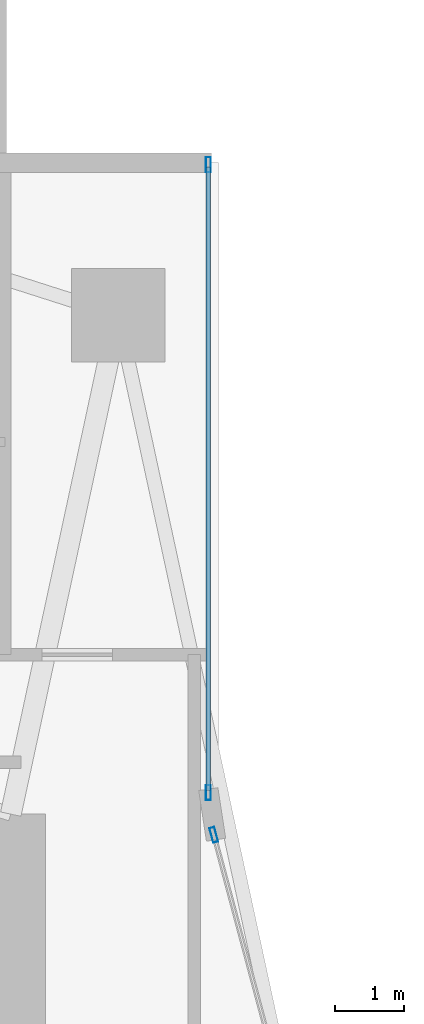
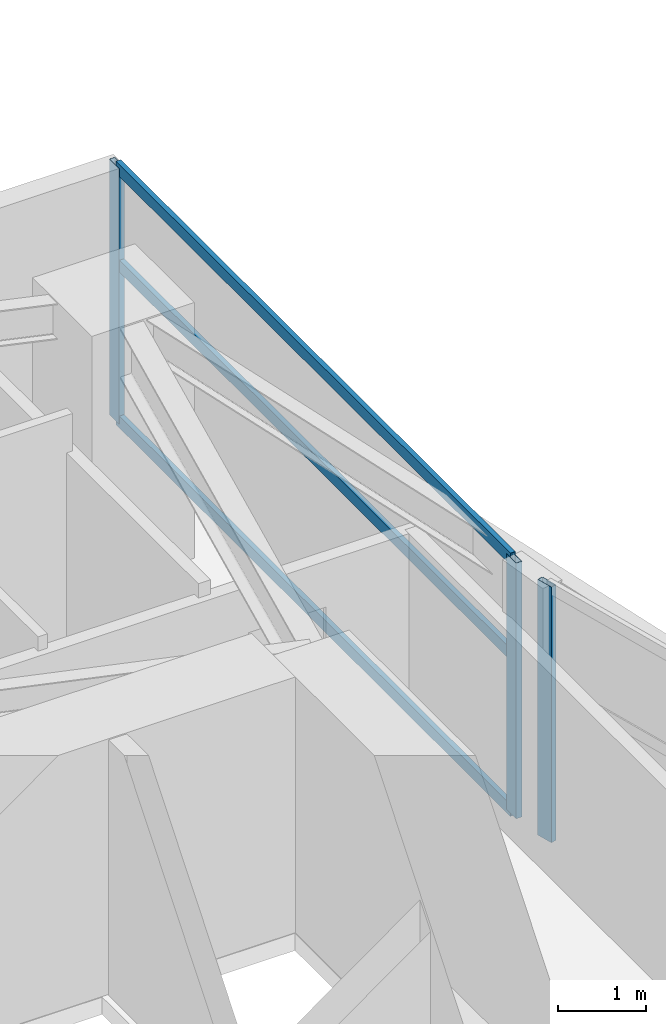
# One storey, part 18 of 29: 6 members, 2 elements without a shape of their own.
"""IFC4 building model written with IfcOpenShell, lengths in metres."""

from ifc_helpers import new_model, si_unit, direction, frame, origin, origin_2d, place, context, subcontext, project, spatial, hollow_rectangle, extrude, material, layer, layer_set, material_profile, profile_set, type_object, element, aggregate, save


model = new_model("IFC4")

# Units and contexts
model_context = context("Model", 3, precision=1e-05, world=origin(), true_north=direction((0.0, 1.0)))
body_context = subcontext(model_context, "Body", "Model", "MODEL_VIEW")
ifc_project = project(units=[si_unit("LENGTHUNIT", "METRE"), si_unit("AREAUNIT", "SQUARE_METRE"), si_unit("VOLUMEUNIT", "CUBIC_METRE"), si_unit("PLANEANGLEUNIT", "RADIAN"), si_unit("MASSUNIT", "GRAM", prefix="KILO")], contexts=[model_context])

# Site, building, storey
site_placement = place(None, origin())
site = spatial("IfcSite", under=ifc_project, at=site_placement, CompositionType="ELEMENT")
building_placement = place(site_placement, origin())
building = spatial("IfcBuilding", under=site, at=building_placement, Name="Calvorn Quay Hotel", CompositionType="ELEMENT")
storey_placement = place(building_placement, frame((0.0, 0.0, 81.199951171875)))
storey = spatial("IfcBuildingStorey", under=building, at=storey_placement, Name="L19", CompositionType="ELEMENT", Elevation=81.199951171875)

# Curtain wall, member
ifc_material_1 = material(Name="Pale Anodised Aluminium and Low-E Glass", Category="aluminium")
ifc_layer = layer(ifc_material_1, 0.219970703125)
ifc_layer_set = layer_set([ifc_layer], Name="CW-SYS-Z1")
curtain_wall_type = type_object("IfcCurtainWallType", Name="CW-SYS-Z1", PredefinedType="NOTDEFINED", material=ifc_layer_set)
curtain_wall_1_placement = place(storey_placement, origin())
curtain_wall_1 = element("IfcCurtainWall", 1, at=curtain_wall_1_placement, inside=storey, type_object=curtain_wall_type, Name="Inner Court Curtain Wall L19-IC1", PredefinedType="NOTDEFINED")
ifc_material_2 = material(Name="Pale Anodised Aluminium 6063-T6", Category="aluminium")
ifc_material_profile_1 = material_profile(ifc_material_2, hollow_rectangle(XDim=0.074951171875, YDim=0.219970703125, WallThickness=0.00439453125, at=origin_2d()), Name="ALU-M220x75x4.5")
ifc_profile_set_1 = profile_set([ifc_material_profile_1], Name="Pale Anodised Aluminium 6063-T6")
member_type_1 = type_object("IfcMemberType", Name="CW-SYS-Z1-MUL", PredefinedType="MULLION", material=ifc_profile_set_1)
member_1_placement = place(storey_placement, frame((17.9296875, 38.10107421875, 0.0), z_axis=(0.0, 0.0, 1.0), x_axis=(-0.96593652056, -0.25877913024, 0.0)))
member_1 = element("IfcMember", 2, at=member_1_placement, type_object=member_type_1, Name="CW-L19-IC1 mullion 2", PredefinedType="MULLION", context=body_context, shape_type="SweptSolid", body=[
    extrude(hollow_rectangle(XDim=0.074951171875, YDim=0.219970703125, WallThickness=0.00439453125, at=origin_2d()), origin(), (0.0, 0.0, 1.0), 3.56005859375),
])
aggregate(curtain_wall_1, [member_1])

# Curtain wall, members
curtain_wall_2_placement = place(storey_placement, origin())
curtain_wall_2 = element("IfcCurtainWall", 3, at=curtain_wall_2_placement, inside=storey, type_object=curtain_wall_type, Name="Inner Court Curtain Wall L19-IC2", PredefinedType="NOTDEFINED")
member_2_placement = place(storey_placement, frame((17.85009765625, 38.7099609375, 0.0), z_axis=(0.0, 0.0, 1.0), x_axis=(-1.0, 0.0, 0.0)))
member_2 = element("IfcMember", 4, at=member_2_placement, type_object=member_type_1, Name="CW-L19-IC2 mullion 1", PredefinedType="MULLION", context=body_context, shape_type="SweptSolid", body=[
    extrude(hollow_rectangle(XDim=0.074951171875, YDim=0.219970703125, WallThickness=0.00439453125, at=origin_2d()), origin(), (0.0, 0.0, 1.0), 3.56005859375),
])
member_3_placement = place(storey_placement, frame((17.85009765625, 47.77001953125, 0.0), z_axis=(0.0, 0.0, 1.0), x_axis=(-1.0, 0.0, 0.0)))
member_3 = element("IfcMember", 5, at=member_3_placement, type_object=member_type_1, Name="CW-L19-IC2 mullion 2", PredefinedType="MULLION", context=body_context, shape_type="SweptSolid", body=[
    extrude(hollow_rectangle(XDim=0.074951171875, YDim=0.219970703125, WallThickness=0.00439453125, at=origin_2d()), origin(), (0.0, 0.0, 1.0), 3.56005859375),
])
ifc_material_3 = material(Name="Pale Anodised Aluminium 6063-T6", Category="aluminium")
ifc_material_profile_2 = material_profile(ifc_material_3, hollow_rectangle(XDim=0.06494140625, YDim=0.1650390625, WallThickness=0.00341796875, at=origin_2d()), Name="ALU-T165x65x3.5")
ifc_profile_set_2 = profile_set([ifc_material_profile_2], Name="Pale Anodised Aluminium 6063-T6")
member_type_2 = type_object("IfcMemberType", Name="CW-SYS-Z1-TRN", PredefinedType="USERDEFINED", material=ifc_profile_set_2)
member_4_placement = place(storey_placement, frame((17.85009765625, 38.739990234375, 0.030029296875), z_axis=(0.0, 1.0, 0.0), x_axis=(-1.0, 0.0, 0.0)))
member_4 = element("IfcMember", 6, at=member_4_placement, type_object=member_type_2, Name="CW-L19-IC2 transom 1.1", ObjectType="TRANSOM", PredefinedType="USERDEFINED", context=body_context, shape_type="SweptSolid", body=[
    extrude(hollow_rectangle(XDim=0.06494140625, YDim=0.1650390625, WallThickness=0.00341796875, at=origin_2d()), origin(), (0.0, 0.0, 1.0), 9.0),
])
member_5_placement = place(storey_placement, frame((17.85009765625, 38.739990234375, 2.199951171875), z_axis=(0.0, 1.0, 0.0), x_axis=(-1.0, 0.0, 0.0)))
member_5 = element("IfcMember", 7, at=member_5_placement, type_object=member_type_2, Name="CW-L19-IC2 transom 1.2", ObjectType="TRANSOM", PredefinedType="USERDEFINED", context=body_context, shape_type="SweptSolid", body=[
    extrude(hollow_rectangle(XDim=0.06494140625, YDim=0.1650390625, WallThickness=0.00341796875, at=origin_2d()), origin(), (0.0, 0.0, 1.0), 9.0),
])
member_6_placement = place(storey_placement, frame((17.85009765625, 38.739990234375, 3.530029296875), z_axis=(0.0, 1.0, 0.0), x_axis=(-1.0, 0.0, 0.0)))
member_6 = element("IfcMember", 8, at=member_6_placement, type_object=member_type_2, Name="CW-L19-IC2 transom 1.3", ObjectType="TRANSOM", PredefinedType="USERDEFINED", context=body_context, shape_type="SweptSolid", body=[
    extrude(hollow_rectangle(XDim=0.06494140625, YDim=0.1650390625, WallThickness=0.00341796875, at=origin_2d()), origin(), (0.0, 0.0, 1.0), 9.0),
])
aggregate(curtain_wall_2, [member_2, member_3, member_4, member_5, member_6])

save(model, "model.ifc")
